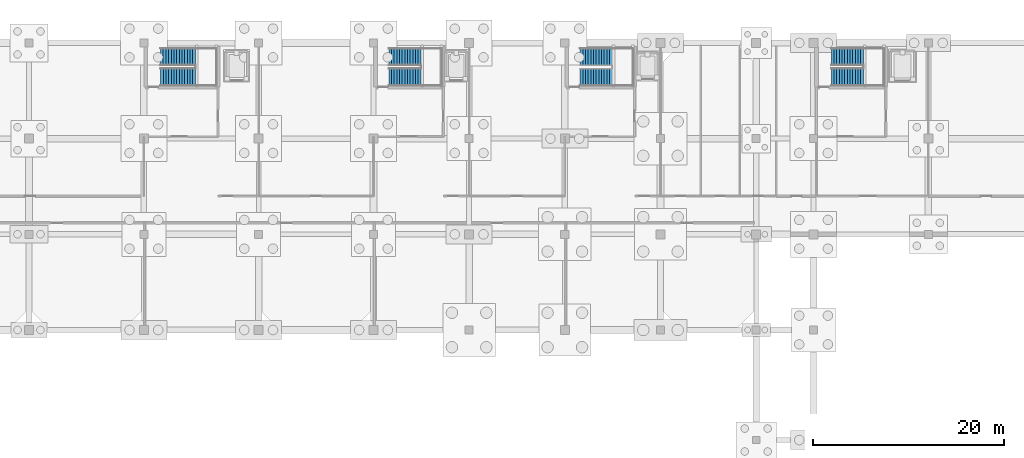
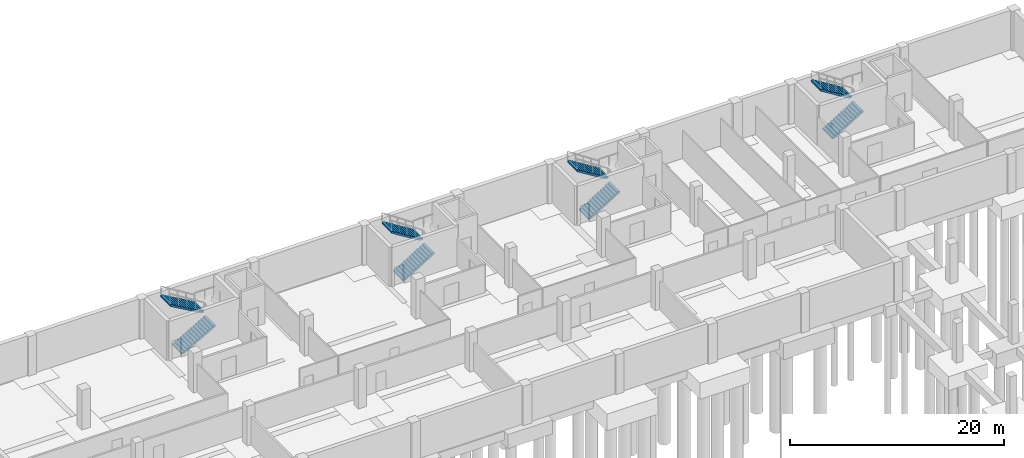
# One storey, part 17 of 19: 8 stair flights, 4 elements without a shape of their own.
"""IFC4 building model written with IfcOpenShell, lengths in metres."""

from ifc_helpers import new_model, si_unit, direction, frame, origin, place, context, subcontext, project, spatial, polyline, outline, extrude, material, type_object, element, aggregate, save


model = new_model("IFC4")

# Units and contexts
model_context = context("Model", 3, precision=1e-05, world=origin(), true_north=direction((0.0, 1.0)))
body_context = subcontext(model_context, "Body", "Model", "MODEL_VIEW")
ifc_project = project(units=[si_unit("LENGTHUNIT", "METRE"), si_unit("AREAUNIT", "SQUARE_METRE"), si_unit("VOLUMEUNIT", "CUBIC_METRE"), si_unit("PLANEANGLEUNIT", "RADIAN"), si_unit("MASSUNIT", "GRAM", prefix="KILO")], contexts=[model_context])

# Site, building, storey
site_placement = place(None, origin())
site = spatial("IfcSite", under=ifc_project, at=site_placement, CompositionType="ELEMENT")
building_placement = place(site_placement, origin())
building = spatial("IfcBuilding", under=site, at=building_placement, Name="Mersad Railyard Sports Hall", CompositionType="ELEMENT")
storey_placement = place(building_placement, frame((0.0, 0.0, -4.5)))
storey = spatial("IfcBuildingStorey", under=building, at=storey_placement, Name="B1", CompositionType="ELEMENT", Elevation=-4.5)

# Stair, stair flights
ifc_material = material(Name="Concrete C40/50", Category="concrete")
stair_type_1 = type_object("IfcStairType", Name="ARC-ST-ST01A", PredefinedType="HALF_TURN_STAIR", material=ifc_material)
stair_1_placement = place(storey_placement, origin())
stair_1 = element("IfcStair", 1, at=stair_1_placement, inside=storey, type_object=stair_type_1, Name="Core C1 Exit Stair B1-L00", PredefinedType="HALF_TURN_STAIR")
stair_flight_type_1 = type_object("IfcStairFlightType", Name="ARC-SF-ST01AF", PredefinedType="STRAIGHT", material=ifc_material)
stair_flight_1_placement = place(storey_placement, frame((68.75, 111.429931640625, 0.0), z_axis=(0.0, 0.0, 1.0), x_axis=(1.0, 0.0, 0.0)))
stair_flight_1 = element("IfcStairFlight", 2, at=stair_flight_1_placement, type_object=stair_flight_type_1, Name="Core C1 Exit Stair B1-L00 Flight 1", NumberOfRisers=14, NumberOfTreads=13, PredefinedType="STRAIGHT", RiserHeight=0.160714, TreadLength=0.28, context=body_context, shape_type="SweptSolid", body=[
    extrude(outline(polyline([(0.0, 0.0), (0.0, 0.16064453125), (0.280029296875, 0.16064453125), (0.280029296875, 0.321533203125), (0.56005859375, 0.321533203125), (0.56005859375, 0.482177734375), (0.840087890625, 0.482177734375), (0.840087890625, 0.642822265625), (1.1201171875, 0.642822265625), (1.1201171875, 0.803466796875), (1.39990234375, 0.803466796875), (1.39990234375, 0.96435546875), (1.679931640625, 0.96435546875), (1.679931640625, 1.125), (1.9599609375, 1.125), (1.9599609375, 1.28564453125), (2.239990234375, 1.28564453125), (2.239990234375, 1.446533203125), (2.52001953125, 1.446533203125), (2.52001953125, 1.607177734375), (2.800048828125, 1.607177734375), (2.800048828125, 1.767822265625), (3.080078125, 1.767822265625), (3.080078125, 1.928466796875), (3.360107421875, 1.928466796875), (3.360107421875, 2.08935546875), (3.639892578125, 2.08935546875), (3.639892578125, 2.25), (3.639892578125, 1.90478515625), (0.3212890625, 0.0), (0.0, 0.0)])), frame((0.0, 0.91015625, 0.0), z_axis=(0.0, -1.0, 0.0), x_axis=(1.0, 0.0, 0.0)), (0.0, 0.0, 1.0), 1.820068359375),
])
stair_flight_2_placement = place(storey_placement, frame((72.389892578125, 113.570068359375, 2.25), z_axis=(0.0, 0.0, 1.0), x_axis=(-1.0, 0.0, 0.0)))
stair_flight_2 = element("IfcStairFlight", 3, at=stair_flight_2_placement, type_object=stair_flight_type_1, Name="Core C1 Exit Stair B1-L00 Flight 2", NumberOfRisers=14, NumberOfTreads=13, PredefinedType="STRAIGHT", RiserHeight=0.160714, TreadLength=0.28, context=body_context, shape_type="SweptSolid", body=[
    extrude(outline(polyline([(0.0, 0.0), (0.0, 0.16064453125), (0.280029296875, 0.16064453125), (0.280029296875, 0.321533203125), (0.56005859375, 0.321533203125), (0.56005859375, 0.482177734375), (0.840087890625, 0.482177734375), (0.840087890625, 0.642822265625), (1.1201171875, 0.642822265625), (1.1201171875, 0.803466796875), (1.39990234375, 0.803466796875), (1.39990234375, 0.96435546875), (1.679931640625, 0.96435546875), (1.679931640625, 1.125), (1.9599609375, 1.125), (1.9599609375, 1.28564453125), (2.239990234375, 1.28564453125), (2.239990234375, 1.446533203125), (2.52001953125, 1.446533203125), (2.52001953125, 1.607177734375), (2.800048828125, 1.607177734375), (2.800048828125, 1.767822265625), (3.080078125, 1.767822265625), (3.080078125, 1.928466796875), (3.360107421875, 1.928466796875), (3.360107421875, 2.08935546875), (3.639892578125, 2.08935546875), (3.639892578125, 2.25), (3.639892578125, 1.90478515625), (0.3212890625, 0.0), (0.0, 0.0)])), frame((0.0, 0.91015625, 0.0), z_axis=(0.0, -1.0, 0.0), x_axis=(1.0, 0.0, 0.0)), (0.0, 0.0, 1.0), 1.820068359375),
])
aggregate(stair_1, [stair_flight_1, stair_flight_2])

stair_type_2 = type_object("IfcStairType", Name="ARC-ST-ST02A", PredefinedType="HALF_TURN_STAIR", material=ifc_material)
stair_2_placement = place(storey_placement, origin())
stair_2 = element("IfcStair", 4, at=stair_2_placement, inside=storey, type_object=stair_type_2, Name="Core C2 Exit Stair B1-L00", PredefinedType="HALF_TURN_STAIR")
stair_flight_type_2 = type_object("IfcStairFlightType", Name="ARC-SF-ST02AF", PredefinedType="STRAIGHT", material=ifc_material)
stair_flight_3_placement = place(storey_placement, frame((92.60009765625, 111.429931640625, 0.0), z_axis=(0.0, 0.0, 1.0), x_axis=(1.0, 0.0, 0.0)))
stair_flight_3 = element("IfcStairFlight", 5, at=stair_flight_3_placement, type_object=stair_flight_type_2, Name="Core C2 Exit Stair B1-L00 Flight 1", NumberOfRisers=13, NumberOfTreads=12, PredefinedType="STRAIGHT", RiserHeight=0.173077, TreadLength=0.28, context=body_context, shape_type="SweptSolid", body=[
    extrude(outline(polyline([(0.0, 0.0), (0.0, 0.173095703125), (0.280029296875, 0.173095703125), (0.280029296875, 0.34619140625), (0.56005859375, 0.34619140625), (0.56005859375, 0.519287109375), (0.840087890625, 0.519287109375), (0.840087890625, 0.6923828125), (1.1201171875, 0.6923828125), (1.1201171875, 0.865478515625), (1.39990234375, 0.865478515625), (1.39990234375, 1.03857421875), (1.679931640625, 1.03857421875), (1.679931640625, 1.21142578125), (1.9599609375, 1.21142578125), (1.9599609375, 1.384521484375), (2.239990234375, 1.384521484375), (2.239990234375, 1.5576171875), (2.52001953125, 1.5576171875), (2.52001953125, 1.730712890625), (2.800048828125, 1.730712890625), (2.800048828125, 1.90380859375), (3.080078125, 1.90380859375), (3.080078125, 2.076904296875), (3.360107421875, 2.076904296875), (3.360107421875, 2.25), (3.360107421875, 1.888916015625), (0.30419921875, 0.0), (0.0, 0.0)])), frame((0.0, 0.91015625, 0.0), z_axis=(0.0, -1.0, 0.0), x_axis=(1.0, 0.0, 0.0)), (0.0, 0.0, 1.0), 1.820068359375),
])
stair_flight_4_placement = place(storey_placement, frame((95.9599609375, 113.570068359375, 2.25), z_axis=(0.0, 0.0, 1.0), x_axis=(-1.0, 0.0, 0.0)))
stair_flight_4 = element("IfcStairFlight", 6, at=stair_flight_4_placement, type_object=stair_flight_type_2, Name="Core C2 Exit Stair B1-L00 Flight 2", NumberOfRisers=13, NumberOfTreads=12, PredefinedType="STRAIGHT", RiserHeight=0.173077, TreadLength=0.28, context=body_context, shape_type="SweptSolid", body=[
    extrude(outline(polyline([(0.0, 0.0), (0.0, 0.173095703125), (0.280029296875, 0.173095703125), (0.280029296875, 0.34619140625), (0.56005859375, 0.34619140625), (0.56005859375, 0.519287109375), (0.840087890625, 0.519287109375), (0.840087890625, 0.6923828125), (1.1201171875, 0.6923828125), (1.1201171875, 0.865478515625), (1.39990234375, 0.865478515625), (1.39990234375, 1.03857421875), (1.679931640625, 1.03857421875), (1.679931640625, 1.21142578125), (1.9599609375, 1.21142578125), (1.9599609375, 1.384521484375), (2.239990234375, 1.384521484375), (2.239990234375, 1.5576171875), (2.52001953125, 1.5576171875), (2.52001953125, 1.730712890625), (2.800048828125, 1.730712890625), (2.800048828125, 1.90380859375), (3.080078125, 1.90380859375), (3.080078125, 2.076904296875), (3.360107421875, 2.076904296875), (3.360107421875, 2.25), (3.360107421875, 1.888916015625), (0.30419921875, 0.0), (0.0, 0.0)])), frame((0.0, 0.91015625, 0.0), z_axis=(0.0, -1.0, 0.0), x_axis=(1.0, 0.0, 0.0)), (0.0, 0.0, 1.0), 1.820068359375),
])
aggregate(stair_2, [stair_flight_3, stair_flight_4])

stair_type_3 = type_object("IfcStairType", Name="ARC-ST-ST03A", PredefinedType="HALF_TURN_STAIR", material=ifc_material)
stair_3_placement = place(storey_placement, origin())
stair_3 = element("IfcStair", 7, at=stair_3_placement, inside=storey, type_object=stair_type_3, Name="Core C3 Exit Stair B1-L00", PredefinedType="HALF_TURN_STAIR")
stair_flight_type_3 = type_object("IfcStairFlightType", Name="ARC-SF-ST03AF", PredefinedType="STRAIGHT", material=ifc_material)
stair_flight_5_placement = place(storey_placement, frame((112.60009765625, 111.419921875, 0.0), z_axis=(0.0, 0.0, 1.0), x_axis=(1.0, 0.0, 0.0)))
stair_flight_5 = element("IfcStairFlight", 8, at=stair_flight_5_placement, type_object=stair_flight_type_3, Name="Core C3 Exit Stair B1-L00 Flight 1", NumberOfRisers=13, NumberOfTreads=12, PredefinedType="STRAIGHT", RiserHeight=0.173077, TreadLength=0.28, context=body_context, shape_type="SweptSolid", body=[
    extrude(outline(polyline([(0.0, 0.0), (0.0, 0.173095703125), (0.280029296875, 0.173095703125), (0.280029296875, 0.34619140625), (0.56005859375, 0.34619140625), (0.56005859375, 0.519287109375), (0.840087890625, 0.519287109375), (0.840087890625, 0.6923828125), (1.1201171875, 0.6923828125), (1.1201171875, 0.865478515625), (1.39990234375, 0.865478515625), (1.39990234375, 1.03857421875), (1.679931640625, 1.03857421875), (1.679931640625, 1.21142578125), (1.9599609375, 1.21142578125), (1.9599609375, 1.384521484375), (2.239990234375, 1.384521484375), (2.239990234375, 1.5576171875), (2.52001953125, 1.5576171875), (2.52001953125, 1.730712890625), (2.800048828125, 1.730712890625), (2.800048828125, 1.90380859375), (3.080078125, 1.90380859375), (3.080078125, 2.076904296875), (3.360107421875, 2.076904296875), (3.360107421875, 2.25), (3.360107421875, 1.888916015625), (0.30419921875, 0.0), (0.0, 0.0)])), frame((0.0, 0.89990234375, 0.0), z_axis=(0.0, -1.0, 0.0), x_axis=(1.0, 0.0, 0.0)), (0.0, 0.0, 1.0), 1.800048828125),
])
stair_flight_6_placement = place(storey_placement, frame((115.9599609375, 113.580078125, 2.25), z_axis=(0.0, 0.0, 1.0), x_axis=(-1.0, 0.0, 0.0)))
stair_flight_6 = element("IfcStairFlight", 9, at=stair_flight_6_placement, type_object=stair_flight_type_3, Name="Core C3 Exit Stair B1-L00 Flight 2", NumberOfRisers=13, NumberOfTreads=12, PredefinedType="STRAIGHT", RiserHeight=0.173077, TreadLength=0.28, context=body_context, shape_type="SweptSolid", body=[
    extrude(outline(polyline([(0.0, 0.0), (0.0, 0.173095703125), (0.280029296875, 0.173095703125), (0.280029296875, 0.34619140625), (0.56005859375, 0.34619140625), (0.56005859375, 0.519287109375), (0.840087890625, 0.519287109375), (0.840087890625, 0.6923828125), (1.1201171875, 0.6923828125), (1.1201171875, 0.865478515625), (1.39990234375, 0.865478515625), (1.39990234375, 1.03857421875), (1.679931640625, 1.03857421875), (1.679931640625, 1.21142578125), (1.9599609375, 1.21142578125), (1.9599609375, 1.384521484375), (2.239990234375, 1.384521484375), (2.239990234375, 1.5576171875), (2.52001953125, 1.5576171875), (2.52001953125, 1.730712890625), (2.800048828125, 1.730712890625), (2.800048828125, 1.90380859375), (3.080078125, 1.90380859375), (3.080078125, 2.076904296875), (3.360107421875, 2.076904296875), (3.360107421875, 2.25), (3.360107421875, 1.888916015625), (0.30419921875, 0.0), (0.0, 0.0)])), frame((0.0, 0.89990234375, 0.0), z_axis=(0.0, -1.0, 0.0), x_axis=(1.0, 0.0, 0.0)), (0.0, 0.0, 1.0), 1.800048828125),
])
aggregate(stair_3, [stair_flight_5, stair_flight_6])

stair_type_4 = type_object("IfcStairType", Name="ARC-ST-ST04A", PredefinedType="HALF_TURN_STAIR", material=ifc_material)
stair_4_placement = place(storey_placement, origin())
stair_4 = element("IfcStair", 10, at=stair_4_placement, inside=storey, type_object=stair_type_4, Name="Core C4 Exit Stair B1-L00", PredefinedType="HALF_TURN_STAIR")
stair_flight_type_4 = type_object("IfcStairFlightType", Name="ARC-SF-ST04AF", PredefinedType="STRAIGHT", material=ifc_material)
stair_flight_7_placement = place(storey_placement, frame((138.85009765625, 111.429931640625, 0.0), z_axis=(0.0, 0.0, 1.0), x_axis=(1.0, 0.0, 0.0)))
stair_flight_7 = element("IfcStairFlight", 11, at=stair_flight_7_placement, type_object=stair_flight_type_4, Name="Core C4 Exit Stair B1-L00 Flight 1", NumberOfRisers=13, NumberOfTreads=12, PredefinedType="STRAIGHT", RiserHeight=0.173077, TreadLength=0.28, context=body_context, shape_type="SweptSolid", body=[
    extrude(outline(polyline([(0.0, 0.0), (0.0, 0.173095703125), (0.280029296875, 0.173095703125), (0.280029296875, 0.34619140625), (0.56005859375, 0.34619140625), (0.56005859375, 0.519287109375), (0.840087890625, 0.519287109375), (0.840087890625, 0.6923828125), (1.1201171875, 0.6923828125), (1.1201171875, 0.865478515625), (1.39990234375, 0.865478515625), (1.39990234375, 1.03857421875), (1.679931640625, 1.03857421875), (1.679931640625, 1.21142578125), (1.9599609375, 1.21142578125), (1.9599609375, 1.384521484375), (2.239990234375, 1.384521484375), (2.239990234375, 1.5576171875), (2.52001953125, 1.5576171875), (2.52001953125, 1.730712890625), (2.800048828125, 1.730712890625), (2.800048828125, 1.90380859375), (3.080078125, 1.90380859375), (3.080078125, 2.076904296875), (3.360107421875, 2.076904296875), (3.360107421875, 2.25), (3.360107421875, 1.888916015625), (0.30419921875, 0.0), (0.0, 0.0)])), frame((0.0, 0.91015625, 0.0), z_axis=(0.0, -1.0, 0.0), x_axis=(1.0, 0.0, 0.0)), (0.0, 0.0, 1.0), 1.820068359375),
])
stair_flight_8_placement = place(storey_placement, frame((142.2099609375, 113.570068359375, 2.25), z_axis=(0.0, 0.0, 1.0), x_axis=(-1.0, 0.0, 0.0)))
stair_flight_8 = element("IfcStairFlight", 12, at=stair_flight_8_placement, type_object=stair_flight_type_4, Name="Core C4 Exit Stair B1-L00 Flight 2", NumberOfRisers=13, NumberOfTreads=12, PredefinedType="STRAIGHT", RiserHeight=0.173077, TreadLength=0.28, context=body_context, shape_type="SweptSolid", body=[
    extrude(outline(polyline([(0.0, 0.0), (0.0, 0.173095703125), (0.280029296875, 0.173095703125), (0.280029296875, 0.34619140625), (0.56005859375, 0.34619140625), (0.56005859375, 0.519287109375), (0.840087890625, 0.519287109375), (0.840087890625, 0.6923828125), (1.1201171875, 0.6923828125), (1.1201171875, 0.865478515625), (1.39990234375, 0.865478515625), (1.39990234375, 1.03857421875), (1.679931640625, 1.03857421875), (1.679931640625, 1.21142578125), (1.9599609375, 1.21142578125), (1.9599609375, 1.384521484375), (2.239990234375, 1.384521484375), (2.239990234375, 1.5576171875), (2.52001953125, 1.5576171875), (2.52001953125, 1.730712890625), (2.800048828125, 1.730712890625), (2.800048828125, 1.90380859375), (3.080078125, 1.90380859375), (3.080078125, 2.076904296875), (3.360107421875, 2.076904296875), (3.360107421875, 2.25), (3.360107421875, 1.888916015625), (0.30419921875, 0.0), (0.0, 0.0)])), frame((0.0, 0.91015625, 0.0), z_axis=(0.0, -1.0, 0.0), x_axis=(1.0, 0.0, 0.0)), (0.0, 0.0, 1.0), 1.820068359375),
])
aggregate(stair_4, [stair_flight_7, stair_flight_8])

save(model, "model.ifc")
